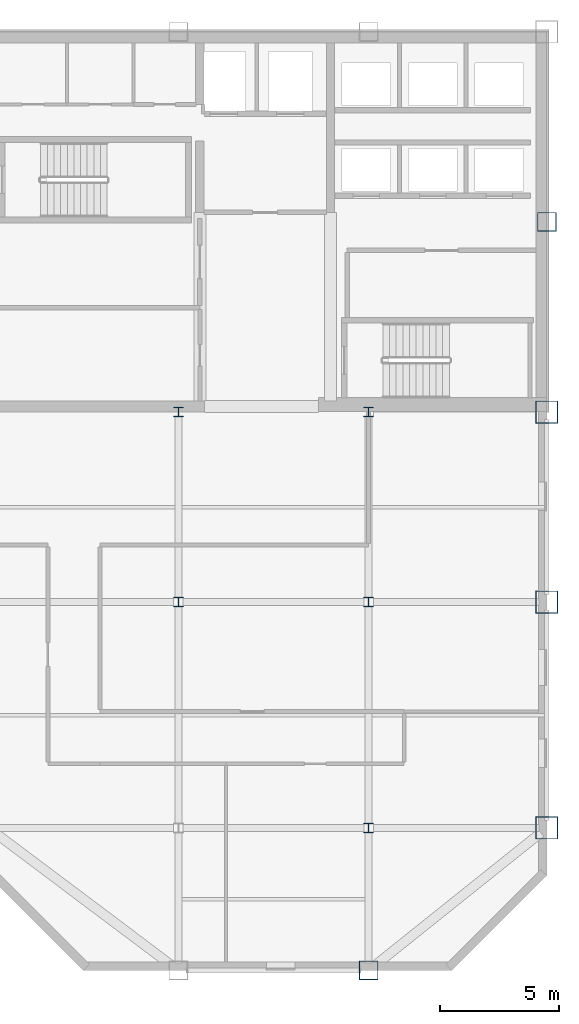
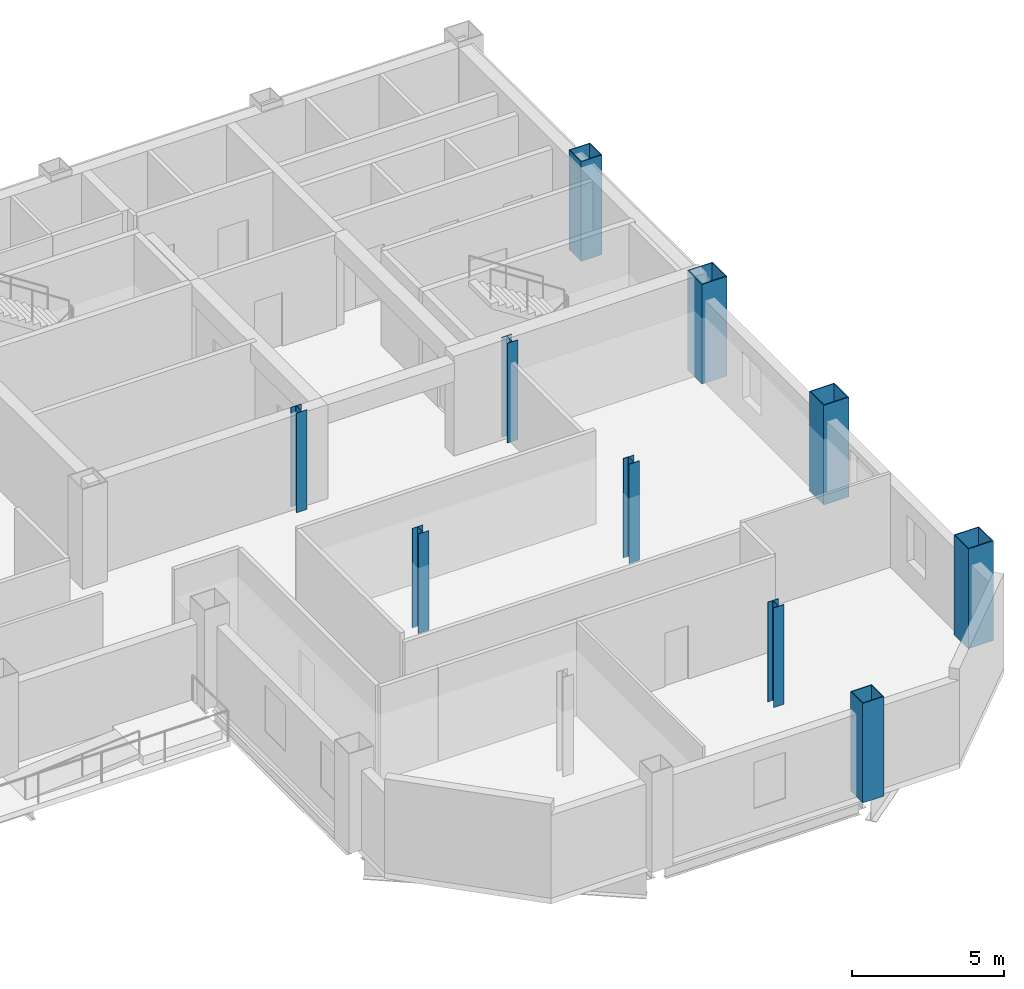
# One storey, part 2 of 10: 10 columns.
"""IFC4 building model written with IfcOpenShell, lengths in metres."""

from ifc_helpers import new_model, si_unit, direction, frame, origin, origin_2d, place, context, subcontext, project, spatial, hollow_rectangle, i_section, extrude, material, material_profile, profile_set, type_object, element, save


model = new_model("IFC4")

# Units and contexts
model_context = context("Model", 3, precision=1e-05, world=origin(), true_north=direction((0.0, 1.0)))
body_context = subcontext(model_context, "Body", "Model", "MODEL_VIEW")
ifc_project = project(units=[si_unit("LENGTHUNIT", "METRE"), si_unit("AREAUNIT", "SQUARE_METRE"), si_unit("VOLUMEUNIT", "CUBIC_METRE"), si_unit("PLANEANGLEUNIT", "RADIAN"), si_unit("MASSUNIT", "GRAM", prefix="KILO")], contexts=[model_context])

# Site, building, storey
site_placement = place(None, origin())
site = spatial("IfcSite", under=ifc_project, at=site_placement, CompositionType="ELEMENT")
building_placement = place(site_placement, origin())
building = spatial("IfcBuilding", under=site, at=building_placement, Name="Qianrong Seaharbour Tower", CompositionType="ELEMENT")
storey_placement = place(building_placement, frame((0.0, 0.0, 237.800048828125)))
storey = spatial("IfcBuildingStorey", under=building, at=storey_placement, Name="L57", CompositionType="ELEMENT", Elevation=237.800048828125)

# Columns
ifc_material = material(Name="Structural steel SN490B", Category="steel")
ifc_material_profile_1 = material_profile(ifc_material, hollow_rectangle(XDim=0.949951171875, YDim=0.949951171875, WallThickness=0.035888671875, at=origin_2d()), Name="BOX950x950x36")
ifc_profile_set_1 = profile_set([ifc_material_profile_1], Name="Structural steel SN490B")
column_type_1 = type_object("IfcColumnType", Name="COL-CFT-950", PredefinedType="COLUMN", material=ifc_profile_set_1)
for number, where, z_axis, x_axis, name in (
    (1, (64.0, 18.5, 0.0), (0.0, 0.0, 1.0), (1.0, 0.0, 0.0), "L57 Column MC-4 at G9/GD"),
    (2, (64.0, 28.0, 0.0), (0.0, 0.0, 1.0), (1.0, 0.0, 0.0), "L57 Column MC-4 at G9/GE"),
    (3, (64.0, 36.0, 0.0), (0.0, 0.0, 1.0), (1.0, 0.0, 0.0), "L57 Column MC-4 at G9/GF"),
):
    element("IfcColumn", number, at=place(storey_placement, frame(where, z_axis=z_axis, x_axis=x_axis)), inside=storey, type_object=column_type_1, Name=name, PredefinedType="COLUMN", context=body_context, shape_type="SweptSolid", body=[
        extrude(hollow_rectangle(XDim=0.949951171875, YDim=0.949951171875, WallThickness=0.035888671875, at=origin_2d()), origin(), (0.0, 0.0, 1.0), 4.0),
    ])
ifc_material_profile_2 = material_profile(ifc_material, i_section(OverallWidth=0.39990234375, OverallDepth=0.39990234375, WebThickness=0.012939453125, FlangeThickness=0.02099609375, FilletRadius=0.02197265625, at=origin_2d()), Name="H400x400x13x21")
ifc_profile_set_2 = profile_set([ifc_material_profile_2], Name="Structural steel SN490B")
column_type_2 = type_object("IfcColumnType", Name="COL-INT-H400", PredefinedType="COLUMN", material=ifc_profile_set_2)
for number, where, z_axis, x_axis, name in (
    (4, (48.5, 28.0, 0.0), (0.0, 0.0, 1.0), (1.0, 0.0, 0.0), "L57 Column IC-3 at G7/GE"),
    (5, (48.5, 36.0, 0.0), (0.0, 0.0, 1.0), (1.0, 0.0, 0.0), "L57 Column IC-3 at G7/GF"),
    (6, (56.5, 18.5, 0.0), (0.0, 0.0, 1.0), (1.0, 0.0, 0.0), "L57 Column IC-3 at G8/GD"),
    (7, (56.5, 28.0, 0.0), (0.0, 0.0, 1.0), (1.0, 0.0, 0.0), "L57 Column IC-3 at G8/GE"),
    (8, (56.5, 36.0, 0.0), (0.0, 0.0, 1.0), (1.0, 0.0, 0.0), "L57 Column IC-3 at G8/GF"),
):
    element("IfcColumn", number, at=place(storey_placement, frame(where, z_axis=z_axis, x_axis=x_axis)), inside=storey, type_object=column_type_2, Name=name, PredefinedType="COLUMN", context=body_context, shape_type="SweptSolid", body=[
        extrude(i_section(OverallWidth=0.39990234375, OverallDepth=0.39990234375, WebThickness=0.012939453125, FlangeThickness=0.02099609375, FilletRadius=0.02197265625, at=origin_2d()), origin(), (0.0, 0.0, 1.0), 4.0),
    ])
ifc_material_profile_3 = material_profile(ifc_material, hollow_rectangle(XDim=0.800048828125, YDim=0.800048828125, WallThickness=0.031982421875, at=origin_2d()), Name="BOX800x800x32")
ifc_profile_set_3 = profile_set([ifc_material_profile_3], Name="Structural steel SN490B")
column_type_3 = type_object("IfcColumnType", Name="COL-PER-800", PredefinedType="COLUMN", material=ifc_profile_set_3)
for number, where, z_axis, x_axis, name in (
    (9, (56.5, 12.5, 0.0), (0.0, 0.0, 1.0), (1.0, 0.0, 0.0), "L57 Column PC-3 at G8/GC"),
    (10, (64.0, 44.0, 0.0), (0.0, 0.0, 1.0), (1.0, 0.0, 0.0), "L57 Column PC-3 at G9/GG"),
):
    element("IfcColumn", number, at=place(storey_placement, frame(where, z_axis=z_axis, x_axis=x_axis)), inside=storey, type_object=column_type_3, Name=name, PredefinedType="COLUMN", context=body_context, shape_type="SweptSolid", body=[
        extrude(hollow_rectangle(XDim=0.800048828125, YDim=0.800048828125, WallThickness=0.031982421875, at=origin_2d()), origin(), (0.0, 0.0, 1.0), 4.0),
    ])

save(model, "model.ifc")
